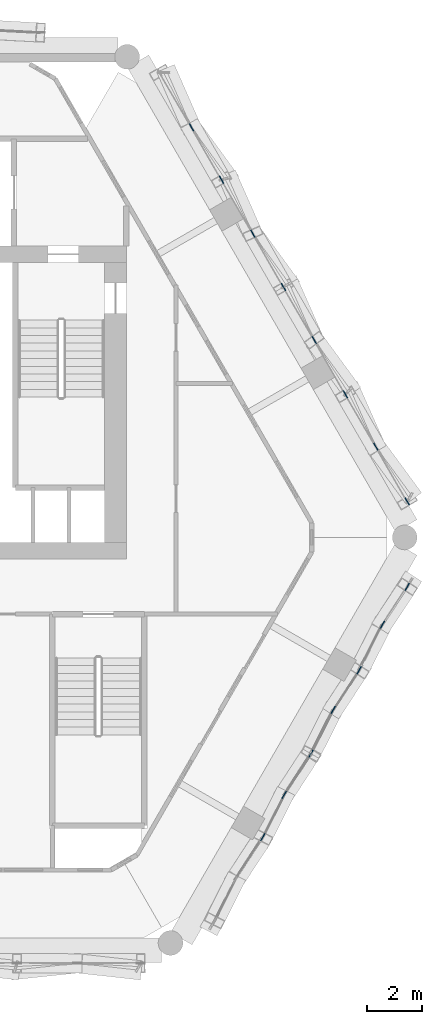
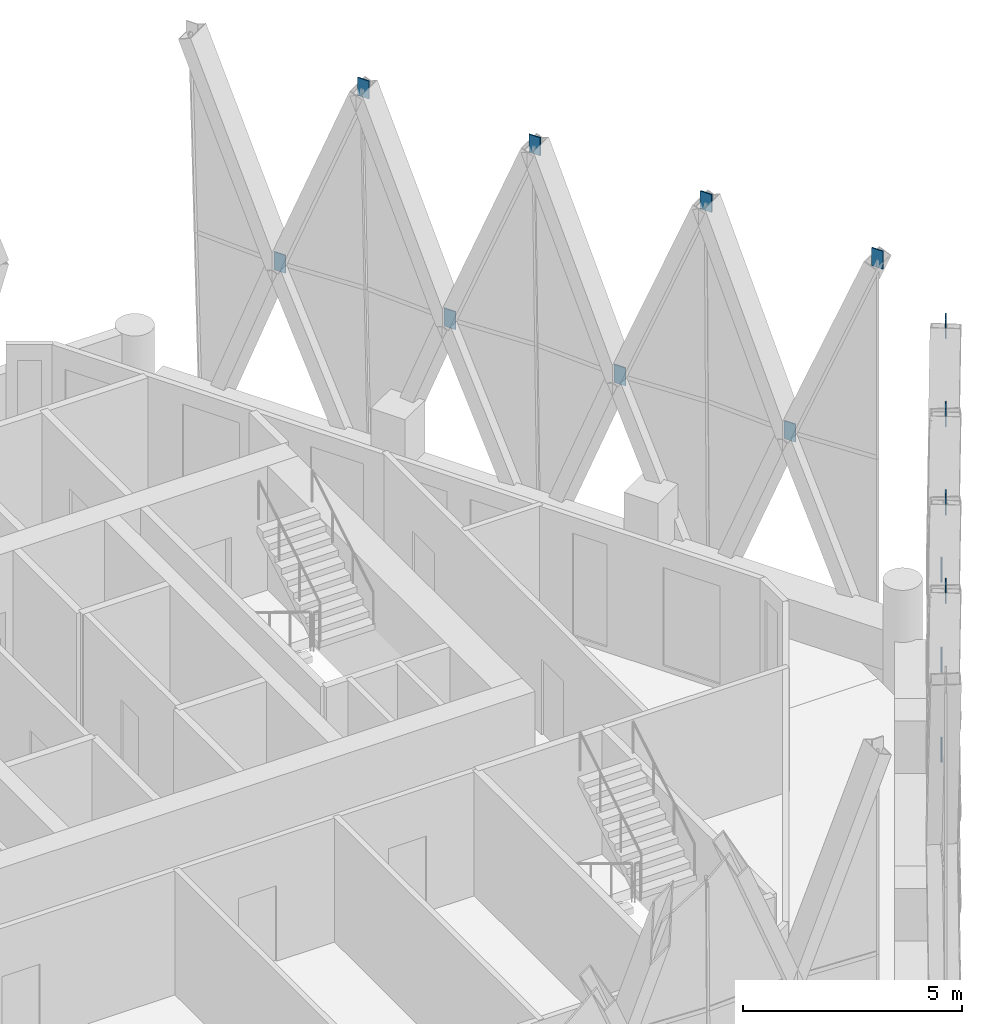
# One storey, part 19 of 21: 15 discrete accessories.
"""IFC4 building model written with IfcOpenShell, lengths in metres."""

from ifc_helpers import new_model, si_unit, direction, frame, origin, origin_2d, place, context, subcontext, project, spatial, rectangle, extrude, material, layer, layer_set, type_object, element, save


model = new_model("IFC4")

# Units and contexts
model_context = context("Model", 3, precision=1e-05, world=origin(), true_north=direction((0.0, 1.0)))
body_context = subcontext(model_context, "Body", "Model", "MODEL_VIEW")
ifc_project = project(units=[si_unit("LENGTHUNIT", "METRE"), si_unit("AREAUNIT", "SQUARE_METRE"), si_unit("VOLUMEUNIT", "CUBIC_METRE"), si_unit("PLANEANGLEUNIT", "RADIAN"), si_unit("MASSUNIT", "GRAM", prefix="KILO")], contexts=[model_context])

# Site, building, storey
site_placement = place(None, origin())
site = spatial("IfcSite", under=ifc_project, at=site_placement, CompositionType="ELEMENT")
building_placement = place(site_placement, origin())
building = spatial("IfcBuilding", under=site, at=building_placement, Name="Ostrander Bayou Hotel Tower", CompositionType="ELEMENT")
storey_placement = place(building_placement, frame((0.0, 0.0, 256.25)))
storey = spatial("IfcBuildingStorey", under=building, at=storey_placement, Name="L63", CompositionType="ELEMENT", Elevation=256.25)

# Discrete accessories
ifc_material = material(Name="Steel ASTM A572 Gr 50", Category="steel")
ifc_layer = layer(ifc_material, 0.030029296875)
ifc_layer_set = layer_set([ifc_layer], Name="GP1 gusset plate 30 mm")
discrete_accessory_type = type_object("IfcDiscreteAccessoryType", Name="GP1 gusset plate 30 mm", PredefinedType="BRACKET", material=ifc_layer_set)
for number, where, z_axis, x_axis, name in (
    (1, (13.4619140625, -11.823486328125, 10.39990234375), (0.0, 0.0, 1.0), (0.5, 0.866025403784, 0.0), "GP1 gusset plate lat 490"),
    (2, (14.23828125, -10.287109375, 4.77490234375), (0.0, 0.0, 1.0), (0.5, 0.866025403784, 0.0), "GP1 gusset plate lat 491"),
    (3, (15.216064453125, -8.784912109375, 10.39990234375), (0.0, 0.0, 1.0), (0.5, 0.866025403784, 0.0), "GP1 gusset plate lat 492"),
    (4, (16.028076171875, -7.187255859375, 4.77490234375), (0.0, 0.0, 1.0), (0.5, 0.866025403784, 0.0), "GP1 gusset plate lat 493"),
    (5, (16.970458984375, -5.74658203125, 10.39990234375), (0.0, 0.0, 1.0), (0.5, 0.866025403784, 0.0), "GP1 gusset plate lat 494"),
    (6, (17.81787109375, -4.08740234375, 4.77490234375), (0.0, 0.0, 1.0), (0.5, 0.866025403784, 0.0), "GP1 gusset plate lat 495"),
    (7, (18.724609375, -2.7080078125, 10.39990234375), (0.0, 0.0, 1.0), (0.5, 0.866025403784, 0.0), "GP1 gusset plate lat 496"),
    (8, (17.576171875, 2.397216796875, 4.77490234375), (0.0, 0.0, 1.0), (-0.5, 0.866025403784, 0.0), "GP1 gusset plate lat 497"),
    (9, (18.724609375, 0.39501953125, 10.39990234375), (0.0, 0.0, 1.0), (-0.5, 0.866025403784, 0.0), "GP1 gusset plate lat 498"),
    (10, (16.469482421875, 4.30078125, 10.39990234375), (0.0, 0.0, 1.0), (-0.5, 0.866025403784, 0.0), "GP1 gusset plate lat 499"),
    (11, (15.3388671875, 6.2724609375, 4.77490234375), (0.0, 0.0, 1.0), (-0.5, 0.866025403784, 0.0), "GP1 gusset plate lat 500"),
    (12, (14.214599609375, 8.206787109375, 10.39990234375), (0.0, 0.0, 1.0), (-0.5, 0.866025403784, 0.0), "GP1 gusset plate lat 501"),
    (13, (13.101318359375, 10.147705078125, 4.77490234375), (0.0, 0.0, 1.0), (-0.5, 0.866025403784, 0.0), "GP1 gusset plate lat 502"),
    (14, (11.95947265625, 12.112548828125, 10.39990234375), (0.0, 0.0, 1.0), (-0.5, 0.866025403784, 0.0), "GP1 gusset plate lat 503"),
    (15, (10.864013671875, 14.022705078125, 4.77490234375), (0.0, 0.0, 1.0), (-0.5, 0.866025403784, 0.0), "GP1 gusset plate lat 504"),
):
    element("IfcDiscreteAccessory", number, at=place(storey_placement, frame(where, z_axis=z_axis, x_axis=x_axis)), inside=storey, type_object=discrete_accessory_type, Name=name, PredefinedType="BRACKET", context=body_context, shape_type="SweptSolid", body=[
        extrude(rectangle(XDim=0.300048828125, YDim=0.030029296875, at=origin_2d()), origin(), (0.0, 0.0, 1.0), 0.5),
    ])

save(model, "model.ifc")
